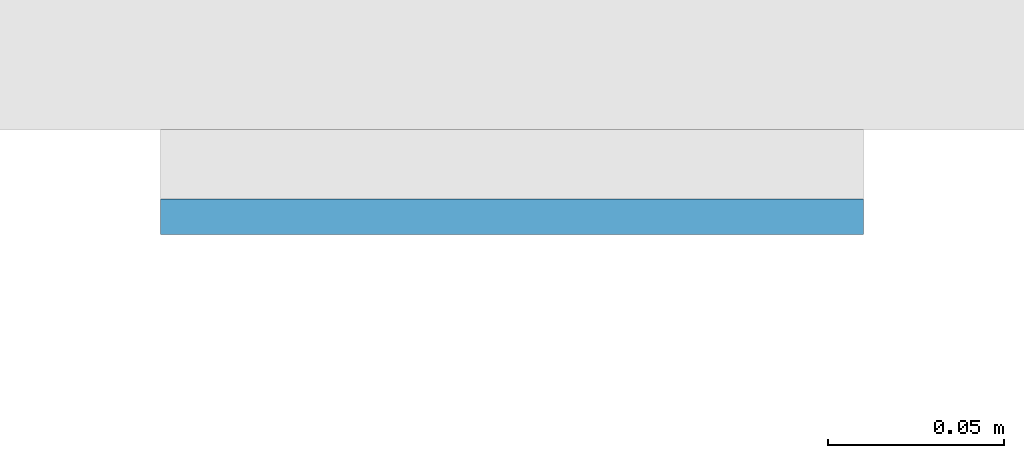
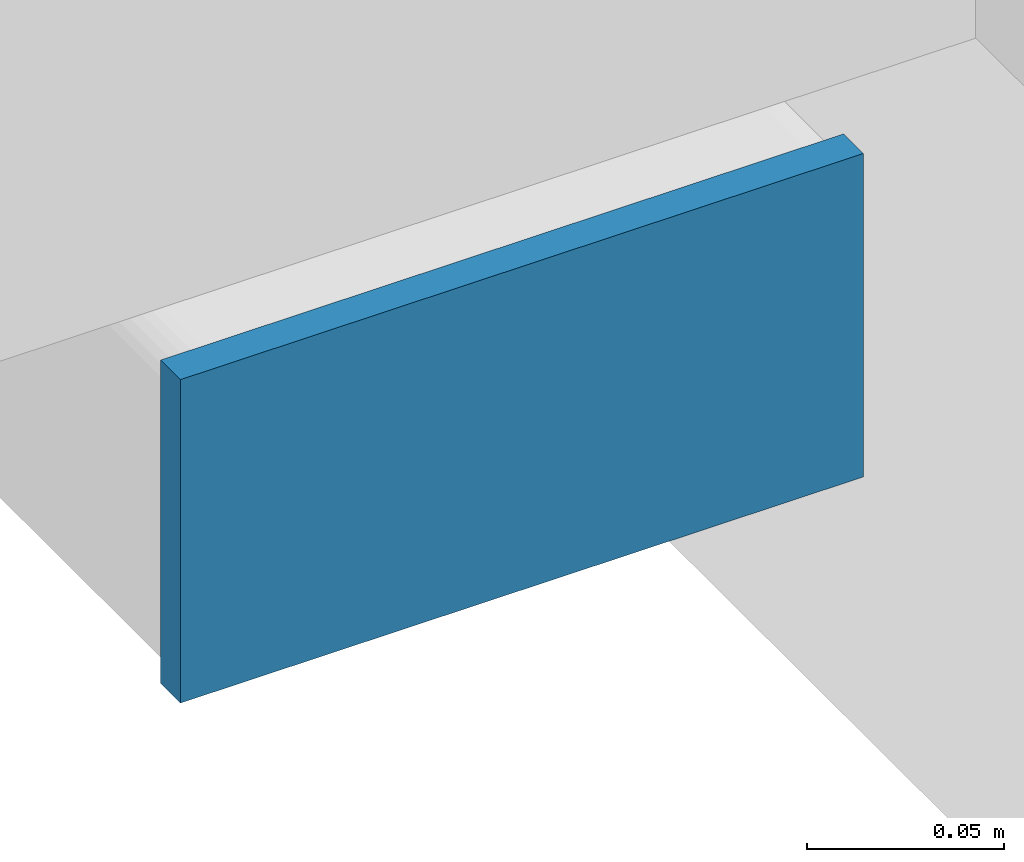
# One storey, part 8 of 20: 1 plate.
"""IFC4 building model written with IfcOpenShell, lengths in metres."""

import ifcopenshell
import ifcopenshell.guid

model = None  # the IFC model being written
_history = None  # IfcOwnerHistory: only IFC2X3 demands one
_inside = {}  # id of a spatial element -> (the spatial element, [elements in it])
_under = {}  # id of a project, library or spatial element -> (it, [spatial elements below it])
_declared = {}  # id of a project -> (the project, [libraries it declares])
_typed = {}  # id of a type object -> (the type object, [elements of that type])
_made_of = {}  # id of a material, layer set ... -> (it, [elements and type objects made of it])


def new_model(schema):
    """Start an empty IFC model of exactly this schema.

    Asked for "IFC4X3", IfcOpenShell would pick the latest addendum, in which some entities
    have other attributes; the version numbers below select the first issue.
    IFC2X3 requires an IfcOwnerHistory on every rooted entity: one is made here for all.
    """
    global model, _history
    if schema == "IFC4X3":
        model = ifcopenshell.file(schema_version=(4, 3, 0, 0))
    else:
        model = ifcopenshell.file(schema=schema)
    _inside.clear()
    _under.clear()
    _declared.clear()
    _typed.clear()
    _made_of.clear()
    _history = None
    if model.schema == "IFC2X3":
        org = make("IfcOrganization", Name="unknown")
        user = make(
            "IfcPersonAndOrganization",
            ThePerson=make("IfcPerson", FamilyName="unknown"),
            TheOrganization=org,
        )
        app = make(
            "IfcApplication",
            ApplicationDeveloper=org,
            Version="unknown",
            ApplicationFullName="unknown",
            ApplicationIdentifier="unknown",
        )
        _history = make(
            "IfcOwnerHistory",
            OwningUser=user,
            OwningApplication=app,
            ChangeAction="ADDED",
            CreationDate=0,
        )
    return model


def make(cls, **values):
    """One entity of the class cls with the attributes given. An attribute that is None is left unset."""
    return model.create_entity(
        cls, **{name: value for name, value in values.items() if value is not None}
    )


def rooted(cls, **values):
    """An entity with a GlobalId (a new one), such as an element, a storey or a relation."""
    return make(cls, GlobalId=ifcopenshell.guid.new(), OwnerHistory=_history, **values)


def si_unit(unit_type, name, prefix=None):
    """IfcSIUnit, for example si_unit("LENGTHUNIT", "METRE", prefix="MILLI")."""
    return make("IfcSIUnit", UnitType=unit_type, Prefix=prefix, Name=name)


def assignment(units):
    """IfcUnitAssignment: the units of a project."""
    return None if units is None else make("IfcUnitAssignment", Units=units)


def point(xyz):
    """IfcCartesianPoint."""
    return None if xyz is None else make("IfcCartesianPoint", Coordinates=xyz)


def direction(xyz):
    """IfcDirection."""
    return None if xyz is None else make("IfcDirection", DirectionRatios=xyz)


def frame(location, z_axis=None, x_axis=None):
    """IfcAxis2Placement3D, a coordinate frame: its origin and axes. An axis left out is left unset."""
    return make(
        "IfcAxis2Placement3D",
        Location=point(location),
        Axis=direction(z_axis),
        RefDirection=direction(x_axis),
    )


def frame_2d(location, x_axis=None):
    """IfcAxis2Placement2D, a coordinate frame in the plane: its origin and x axis."""
    return make(
        "IfcAxis2Placement2D", Location=point(location), RefDirection=direction(x_axis)
    )


def origin():
    """The frame at (0, 0, 0) with its axes left unset."""
    return frame((0.0, 0.0, 0.0))


def origin_2d():
    """The frame at (0, 0) in the plane with its x axis left unset."""
    return frame_2d((0.0, 0.0))


def place(relative_to, where):
    """IfcLocalPlacement: puts the frame where relative to a parent placement (None: the world)."""
    return make(
        "IfcLocalPlacement", PlacementRelTo=relative_to, RelativePlacement=where
    )


def context(
    kind, dimensions, precision=None, world=None, true_north=None, identifier=None
):
    """IfcGeometricRepresentationContext, for example the 3D "Model" context."""
    return make(
        "IfcGeometricRepresentationContext",
        ContextIdentifier=identifier,
        ContextType=kind,
        CoordinateSpaceDimension=dimensions,
        Precision=precision,
        WorldCoordinateSystem=world,
        TrueNorth=true_north,
    )


def subcontext(parent, identifier, kind, view, scale=None):
    """IfcGeometricRepresentationSubContext, for example "Body" below "Model"."""
    return make(
        "IfcGeometricRepresentationSubContext",
        ContextIdentifier=identifier,
        ContextType=kind,
        ParentContext=parent,
        TargetScale=scale,
        TargetView=view,
    )


def project(units=None, contexts=None):
    """IfcProject with its units and contexts."""
    return rooted(
        "IfcProject",
        Name="project",
        RepresentationContexts=contexts,
        UnitsInContext=assignment(units),
    )


def spatial(cls, under=None, at=None, **own):
    """A site, building, storey or space (cls), placed at a placement, below another one or the project."""
    s = rooted(cls, ObjectPlacement=at, **own)
    if under is not None:
        _under.setdefault(under.id(), (under, []))[1].append(s)
    return s


def profile(cls, at=None, kind="AREA", **sizes):
    """A parametric profile (cls). Its sizes go by their IFC names, for example OverallWidth=200.0."""
    return make(cls, ProfileType=kind, Position=at, **sizes)


def rectangle(**sizes):
    """IfcRectangleProfileDef."""
    return profile("IfcRectangleProfileDef", **sizes)


def extrude(swept, where, along, depth):
    """IfcExtrudedAreaSolid: the profile swept, set in the frame where, extruded along a direction by depth."""
    return make(
        "IfcExtrudedAreaSolid",
        SweptArea=swept,
        Position=where,
        ExtrudedDirection=direction(along),
        Depth=depth,
    )


def shape(context_of_items, identifier, shape_type, items):
    """IfcShapeRepresentation: the items that make up one representation, for example the "Body"."""
    return make(
        "IfcShapeRepresentation",
        ContextOfItems=context_of_items,
        RepresentationIdentifier=identifier,
        RepresentationType=shape_type,
        Items=items,
    )


def material(Name=None, Category=None):
    """IfcMaterial."""
    return make("IfcMaterial", Name=Name, Category=Category)


def layer(
    of_material, thickness, ventilated=None, Name=None, Category=None, Priority=None
):
    """IfcMaterialLayer: one layer of a wall or slab, of a material (None: an air gap)."""
    return make(
        "IfcMaterialLayer",
        Material=of_material,
        LayerThickness=thickness,
        IsVentilated=ventilated,
        Name=Name,
        Category=Category,
        Priority=Priority,
    )


def layer_set(layers, Name=None):
    """IfcMaterialLayerSet."""
    return make("IfcMaterialLayerSet", MaterialLayers=layers, LayerSetName=Name)


def made_of(thing, what):
    """Note that an element or type object is made of a material, layer set ...; save() writes the relation."""
    if what is not None:
        _made_of.setdefault(what.id(), (what, []))[1].append(thing)
    return thing


def type_object(cls, material=None, **own):
    """A type object (cls), such as IfcWallType, which elements share."""
    return made_of(rooted(cls, **own), material)


def element(
    cls,
    number,
    at=None,
    inside=None,
    cuts=None,
    type_object=None,
    material=None,
    context=None,
    identifier="Body",
    shape_type=None,
    held_by="IfcProductDefinitionShape",
    body=None,
    shapes=None,
    **own,
):
    """One element of the class cls, such as IfcWall. Its Tag is "e" and its number.

    at: its placement. inside: the storey or other place that contains it. cuts: it is an
    opening in that element (IfcRelVoidsElement). A single representation is given by context,
    identifier, shape_type and body (its items); several are given by shapes. held_by: the class
    of the entity that holds the representations. save() writes the other relations.
    """
    e = rooted(cls, Tag="e%d" % number, ObjectPlacement=at, **own)
    if body is not None:
        shapes = [shape(context, identifier, shape_type, body)]
    if shapes is not None:
        e.Representation = make(held_by, Representations=shapes)
    if inside is not None:
        _inside.setdefault(inside.id(), (inside, []))[1].append(e)
    if cuts is not None:
        rooted(
            "IfcRelVoidsElement", RelatingBuildingElement=cuts, RelatedOpeningElement=e
        )
    if type_object is not None:
        _typed.setdefault(type_object.id(), (type_object, []))[1].append(e)
    return made_of(e, material)


def aggregate(whole, parts):
    """IfcRelAggregates: a whole, such as a stair, and the parts it consists of."""
    return rooted("IfcRelAggregates", RelatingObject=whole, RelatedObjects=parts)


def save(model, path):
    """Write the relations noted so far, then the file.

    IfcRelAggregates (storeys below a building ...), IfcRelContainedInSpatialStructure (elements
    in a storey), IfcRelDefinesByType, IfcRelAssociatesMaterial and IfcRelDeclares: one each for
    every whole, place, type object, material and project.
    """
    for whole, parts in _under.values():
        aggregate(whole, parts)
    for where, things in _inside.values():
        rooted(
            "IfcRelContainedInSpatialStructure",
            RelatedElements=things,
            RelatingStructure=where,
        )
    for kind, things in _typed.values():
        rooted("IfcRelDefinesByType", RelatedObjects=things, RelatingType=kind)
    for what, things in _made_of.values():
        rooted("IfcRelAssociatesMaterial", RelatedObjects=things, RelatingMaterial=what)
    for by, libraries in _declared.values():
        rooted("IfcRelDeclares", RelatingContext=by, RelatedDefinitions=libraries)
    model.write(path)


model = new_model("IFC4")

# Units and contexts
model_context = context("Model", 3, precision=1e-05, world=origin(), true_north=direction((0.0, 1.0)))
body_context = subcontext(model_context, "Body", "Model", "MODEL_VIEW")
ifc_project = project(units=[si_unit("LENGTHUNIT", "METRE"), si_unit("AREAUNIT", "SQUARE_METRE"), si_unit("VOLUMEUNIT", "CUBIC_METRE"), si_unit("PLANEANGLEUNIT", "RADIAN"), si_unit("MASSUNIT", "GRAM", prefix="KILO")], contexts=[model_context])

# Site, building, storey
site_placement = place(None, origin())
site = spatial("IfcSite", under=ifc_project, at=site_placement, CompositionType="ELEMENT")
building_placement = place(site_placement, origin())
building = spatial("IfcBuilding", under=site, at=building_placement, Name="Cleftline Residences", CompositionType="ELEMENT")
storey_placement = place(building_placement, frame((0.0, 0.0, 203.800048828125)))
storey = spatial("IfcBuildingStorey", under=building, at=storey_placement, Name="L53", CompositionType="ELEMENT", Elevation=203.800048828125)

# Plate
ifc_material = material(Name="Steel S355, hot-dip galvanised", Category="steel")
ifc_layer = layer(ifc_material, 0.010009765625)
ifc_layer_set = layer_set([ifc_layer], Name="BAGUETTE CARRIER END PLATE 200X100X10")
plate_type = type_object("IfcPlateType", Name="BAGUETTE CARRIER END PLATE 200X100X10", PredefinedType="USERDEFINED", material=ifc_layer_set)
plate_placement = place(storey_placement, frame((-0.85009765625, 3.695068359375, -0.10009765625), z_axis=(0.0, 0.0, 1.0), x_axis=(-1.0, 0.0, 0.0)))
element("IfcPlate", 1, at=plate_placement, inside=storey, type_object=plate_type, Name="Baguette carrier end plate", ObjectType="BAGUETTE CARRIER END PLATE", PredefinedType="USERDEFINED", context=body_context, shape_type="SweptSolid", body=[
    extrude(rectangle(XDim=0.199951171875, YDim=0.010009765625, at=origin_2d()), origin(), (0.0, 0.0, 1.0), 0.10009765625),
])

save(model, "model.ifc")
